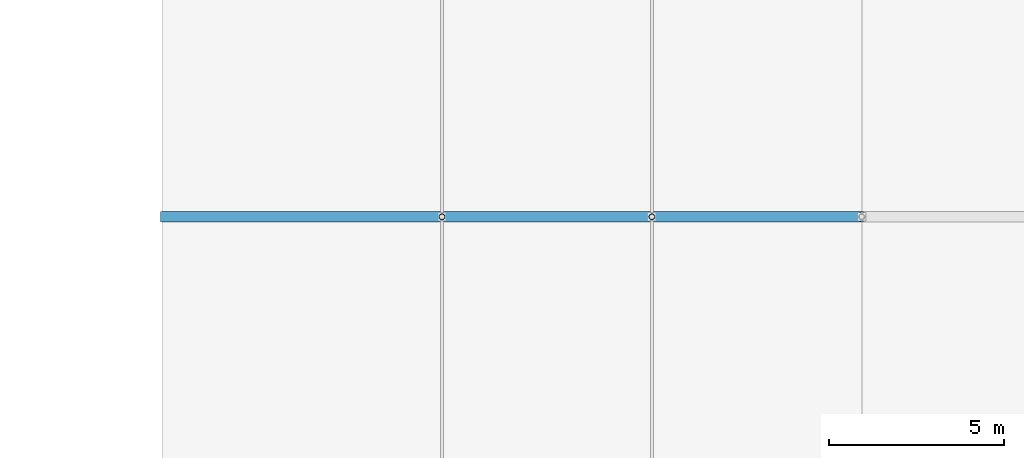
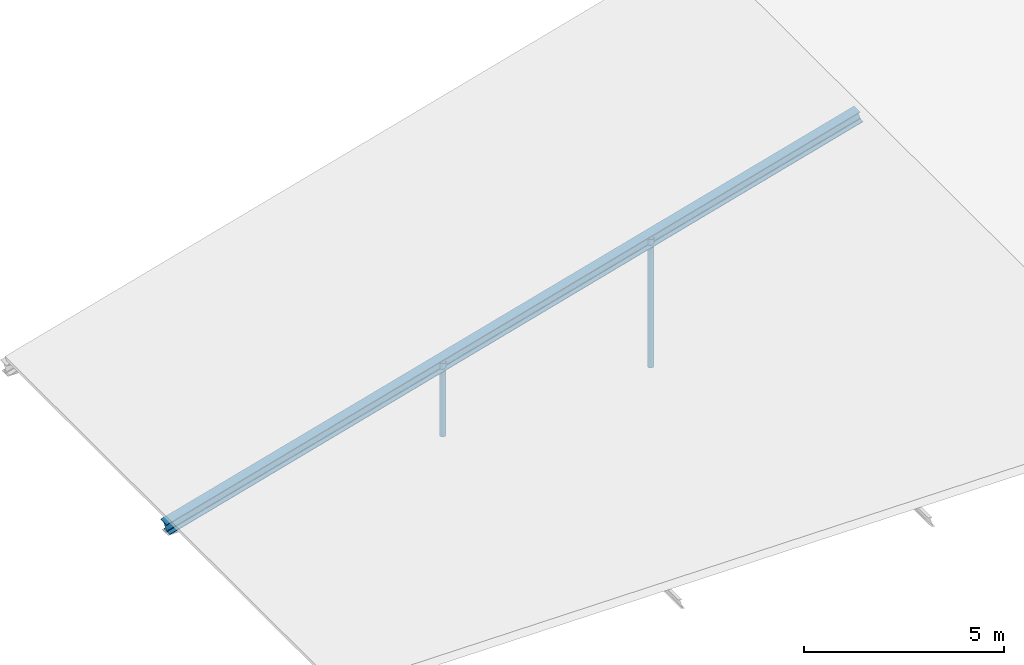
# One storey, part 25 of 49: 3 members.
"""IFC4 building model written with IfcOpenShell, lengths in metres."""

from ifc_helpers import new_model, si_unit, direction, frame, origin, origin_2d, place, context, subcontext, project, spatial, hollow_circle, i_section, extrude, material, material_profile, profile_set, type_object, element, save


model = new_model("IFC4")

# Units and contexts
model_context = context("Model", 3, precision=1e-05, world=origin(), true_north=direction((0.0, 1.0)))
body_context = subcontext(model_context, "Body", "Model", "MODEL_VIEW")
ifc_project = project(units=[si_unit("LENGTHUNIT", "METRE"), si_unit("AREAUNIT", "SQUARE_METRE"), si_unit("VOLUMEUNIT", "CUBIC_METRE"), si_unit("PLANEANGLEUNIT", "RADIAN"), si_unit("MASSUNIT", "GRAM", prefix="KILO")], contexts=[model_context])

# Site, building, storey
site_placement = place(None, origin())
site = spatial("IfcSite", under=ifc_project, at=site_placement, CompositionType="ELEMENT")
building_placement = place(site_placement, origin())
building = spatial("IfcBuilding", under=site, at=building_placement, Name="Sundkrona Museum", CompositionType="ELEMENT")
storey_placement = place(building_placement, frame((0.0, 0.0, 26.0)))
storey = spatial("IfcBuildingStorey", under=building, at=storey_placement, Name="L05", CompositionType="ELEMENT", Elevation=26.0)

# Members
ifc_material = material(Name="Steel S355J2", Category="steel")
ifc_material_profile_1 = material_profile(ifc_material, hollow_circle(Radius=0.084228515625, WallThickness=0.008056640625, at=origin_2d()), Name="CHS 168.3x8.0")
ifc_profile_set_1 = profile_set([ifc_material_profile_1], Name="Steel S355J2")
member_type_1 = type_object("IfcMemberType", Name="ST-CHS168", PredefinedType="STRUT", material=ifc_profile_set_1)
member_1_placement = place(storey_placement, frame((88.0, 32.0, -0.39990234375), z_axis=(0.0, 0.0, 1.0), x_axis=(1.0, 0.0, 0.0)))
element("IfcMember", 1, at=member_1_placement, inside=storey, type_object=member_type_1, Name="RFS-1 Atrium Truss 5 Web Strut 88", PredefinedType="STRUT", context=body_context, shape_type="SweptSolid", body=[
    extrude(hollow_circle(Radius=0.084228515625, WallThickness=0.008056640625, at=origin_2d()), origin(), (0.0, 0.0, 1.0), 2.237548828125),
])
member_2_placement = place(storey_placement, frame((94.0, 32.0, -0.39990234375), z_axis=(0.0, 0.0, 1.0), x_axis=(1.0, 0.0, 0.0)))
element("IfcMember", 2, at=member_2_placement, inside=storey, type_object=member_type_1, Name="RFS-1 Atrium Truss 5 Web Strut 94", PredefinedType="STRUT", context=body_context, shape_type="SweptSolid", body=[
    extrude(hollow_circle(Radius=0.084228515625, WallThickness=0.008056640625, at=origin_2d()), origin(), (0.0, 0.0, 1.0), 3.915771484375),
])
ifc_material_profile_2 = material_profile(ifc_material, i_section(OverallWidth=0.300048828125, OverallDepth=0.35009765625, WebThickness=0.010009765625, FlangeThickness=0.017578125, FilletRadius=0.027099609375, at=origin_2d()), Name="HEA 360")
ifc_profile_set_2 = profile_set([ifc_material_profile_2], Name="Steel S355J2")
member_type_2 = type_object("IfcMemberType", Name="TC-HEA360", PredefinedType="CHORD", material=ifc_profile_set_2)
member_3_placement = place(storey_placement, frame((80.0, 32.0, -0.39990234375), z_axis=(0.963039069801, 0.0, 0.269361745683), x_axis=(0.0, 1.0, 0.0)))
element("IfcMember", 3, at=member_3_placement, inside=storey, type_object=member_type_2, Name="RFS-1 Atrium Truss 5 West Rafter Chord", PredefinedType="CHORD", context=body_context, shape_type="SweptSolid", body=[
    extrude(i_section(OverallWidth=0.300048828125, OverallDepth=0.35009765625, WebThickness=0.010009765625, FlangeThickness=0.017578125, FilletRadius=0.027099609375, at=origin_2d()), origin(), (0.0, 0.0, 1.0), 20.767578125),
])

save(model, "model.ifc")
